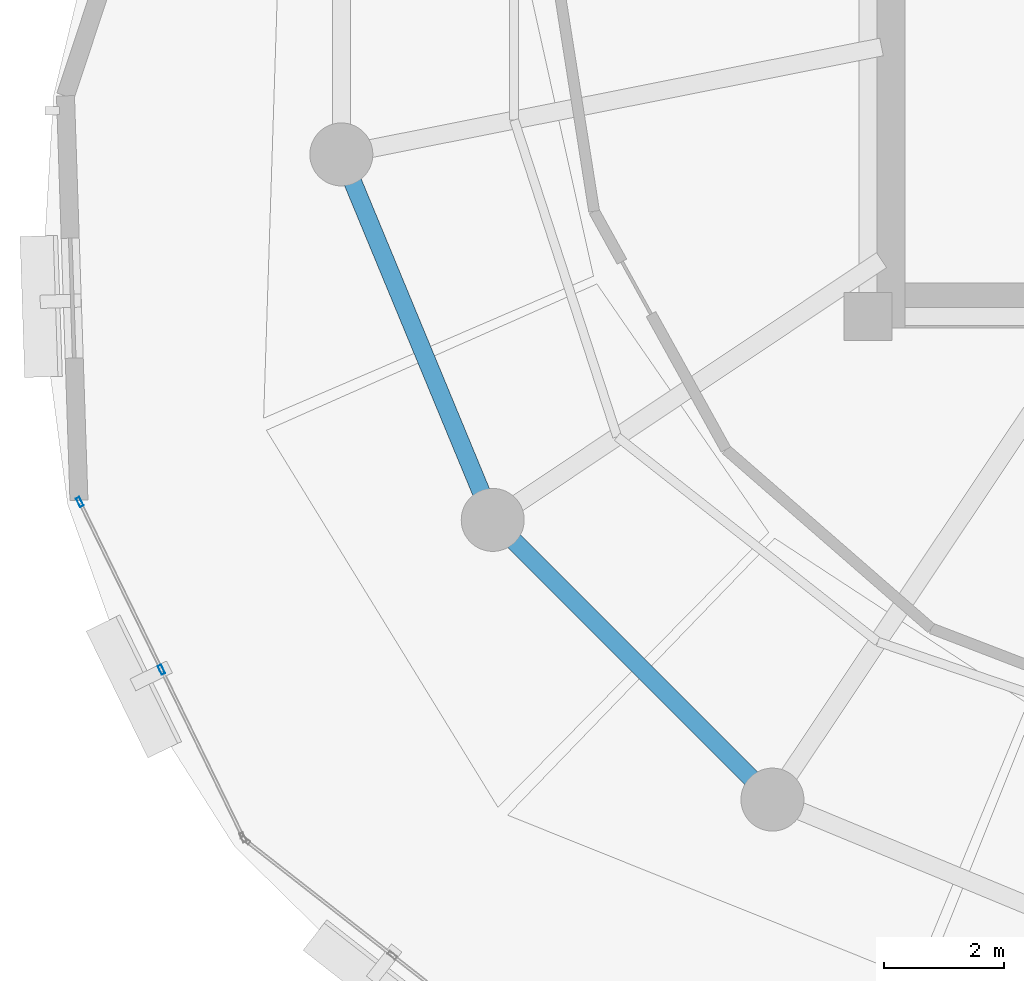
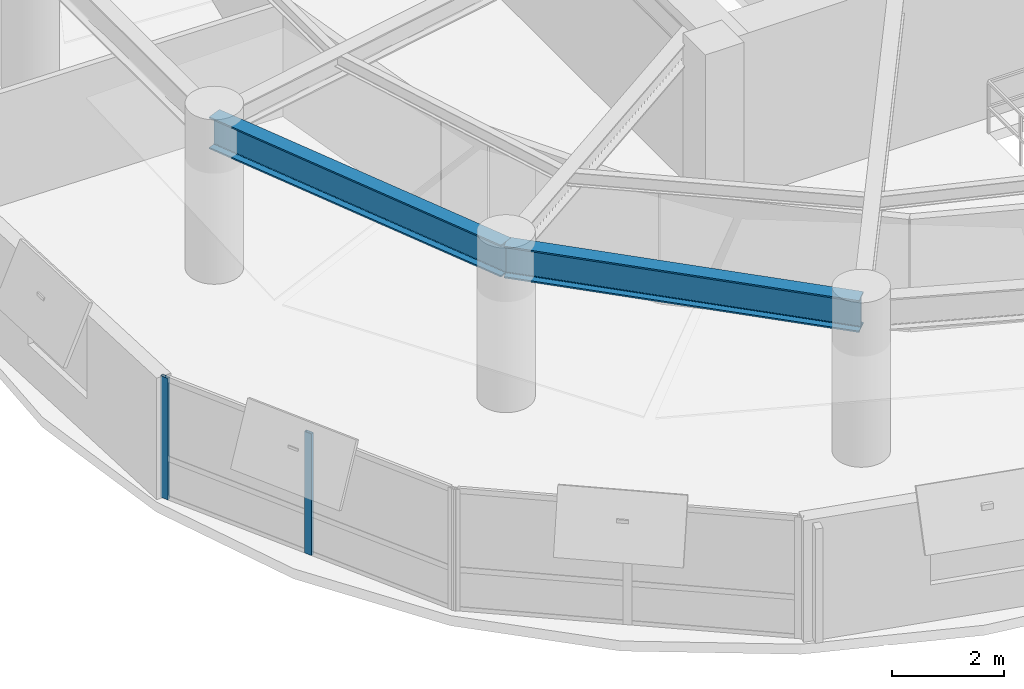
# One storey, part 4 of 12: 2 beams, 2 members, 1 element without a shape of its own.
"""IFC4 building model written with IfcOpenShell, lengths in metres."""

from ifc_helpers import new_model, si_unit, direction, frame, origin, origin_2d, place, context, subcontext, project, spatial, hollow_rectangle, i_section, extrude, material, layer, layer_set, material_profile, profile_set, type_object, element, aggregate, save


model = new_model("IFC4")

# Units and contexts
model_context = context("Model", 3, precision=1e-05, world=origin(), true_north=direction((0.0, 1.0)))
body_context = subcontext(model_context, "Body", "Model", "MODEL_VIEW")
ifc_project = project(units=[si_unit("LENGTHUNIT", "METRE"), si_unit("AREAUNIT", "SQUARE_METRE"), si_unit("VOLUMEUNIT", "CUBIC_METRE"), si_unit("PLANEANGLEUNIT", "RADIAN"), si_unit("MASSUNIT", "GRAM", prefix="KILO"), si_unit("THERMODYNAMICTEMPERATUREUNIT", "KELVIN"), si_unit("POWERUNIT", "WATT")], contexts=[model_context])

# Site, building, storey
site_placement = place(None, origin())
site = spatial("IfcSite", under=ifc_project, at=site_placement, CompositionType="ELEMENT")
building_placement = place(site_placement, origin())
building = spatial("IfcBuilding", under=site, at=building_placement, Name="Ocrelia Relay Tower", CompositionType="ELEMENT")
storey_placement = place(building_placement, frame((0.0, 0.0, 195.199951171875)))
storey = spatial("IfcBuildingStorey", under=building, at=storey_placement, Name="L47", CompositionType="ELEMENT", Elevation=195.199951171875)

# Beams
ifc_material_1 = material(Name="Steel S355", Category="steel")
ifc_material_profile_1 = material_profile(ifc_material_1, i_section(OverallWidth=0.300048828125, OverallDepth=0.699951171875, WebThickness=0.01708984375, FlangeThickness=0.031982421875, FilletRadius=0.027099609375, at=origin_2d()), Name="HEB 700")
ifc_profile_set_1 = profile_set([ifc_material_profile_1], Name="Steel S355")
beam_type = type_object("IfcBeamType", Name="BM-HEB700", PredefinedType="BEAM", material=ifc_profile_set_1)
for number, where, z_axis, x_axis, name in (
    (1, (17.4248046875, 22.702880859375, 3.030029296875), (0.382687508402, -0.923877844151, 0.0), (0.923877844151, 0.382687508402, 0.0), "L47 Perimeter Spandrel Beam S09"),
    (2, (19.9482421875, 16.61083984375, 3.030029296875), (0.707106781187, -0.707106781187, 0.0), (0.707106781187, 0.707106781187, 0.0), "L47 Perimeter Spandrel Beam S10"),
):
    element("IfcBeam", number, at=place(storey_placement, frame(where, z_axis=z_axis, x_axis=x_axis)), inside=storey, type_object=beam_type, Name=name, PredefinedType="BEAM", context=body_context, shape_type="SweptSolid", body=[
        extrude(i_section(OverallWidth=0.300048828125, OverallDepth=0.699951171875, WebThickness=0.01708984375, FlangeThickness=0.031982421875, FilletRadius=0.027099609375, at=origin_2d()), origin(), (0.0, 0.0, 1.0), 6.593994140625),
    ])

# Curtain wall, members
ifc_material_2 = material(Name="Aluminium and solar-control low-E glass", Category="aluminium")
ifc_layer = layer(ifc_material_2, 0.179931640625, Name="Aluminium and solar-control low-E glass")
ifc_layer_set = layer_set([ifc_layer], Name="Aluminium and solar-control low-E glass")
curtain_wall_type = type_object("IfcCurtainWallType", Name="CW-SYS-Z3-CLOU", PredefinedType="NOTDEFINED", material=ifc_layer_set)
curtain_wall_placement = place(storey_placement, origin())
curtain_wall = element("IfcCurtainWall", 3, at=curtain_wall_placement, inside=storey, type_object=curtain_wall_type, Name="L47 Elliptical Tower Curtain Wall Bay 09", PredefinedType="NOTDEFINED")
ifc_material_3 = material(Name="Anodised bronze aluminium", Category="aluminium")
ifc_material_profile_2 = material_profile(ifc_material_3, hollow_rectangle(XDim=0.06494140625, YDim=0.159912109375, WallThickness=0.0048828125, at=origin_2d()), Name="CW-MUL-160x65")
ifc_profile_set_2 = profile_set([ifc_material_profile_2], Name="Anodised bronze aluminium")
member_type = type_object("IfcMemberType", Name="CW-SYS-Z3-CLOU-MUL", PredefinedType="MULLION", material=ifc_profile_set_2)
member_1_placement = place(storey_placement, frame((13.06494140625, 16.908935546875, 0.0), z_axis=(0.0, 0.0, 1.0), x_axis=(0.89902971637, 0.437887621524, 0.0)))
member_1 = element("IfcMember", 4, at=member_1_placement, type_object=member_type, Name="CW-Z3 mullion 1", PredefinedType="MULLION", context=body_context, shape_type="SweptSolid", body=[
    extrude(hollow_rectangle(XDim=0.06494140625, YDim=0.159912109375, WallThickness=0.0048828125, at=origin_2d()), origin(), (0.0, 0.0, 1.0), 2.66015625),
])
member_2_placement = place(storey_placement, frame((14.42626953125, 14.114013671875, 0.0), z_axis=(0.0, 0.0, 1.0), x_axis=(0.89902971637, 0.437887621524, 0.0)))
member_2 = element("IfcMember", 5, at=member_2_placement, type_object=member_type, Name="CW-Z3 mullion 2", PredefinedType="MULLION", context=body_context, shape_type="SweptSolid", body=[
    extrude(hollow_rectangle(XDim=0.06494140625, YDim=0.159912109375, WallThickness=0.0048828125, at=origin_2d()), origin(), (0.0, 0.0, 1.0), 2.66015625),
])
aggregate(curtain_wall, [member_1, member_2])

save(model, "model.ifc")
